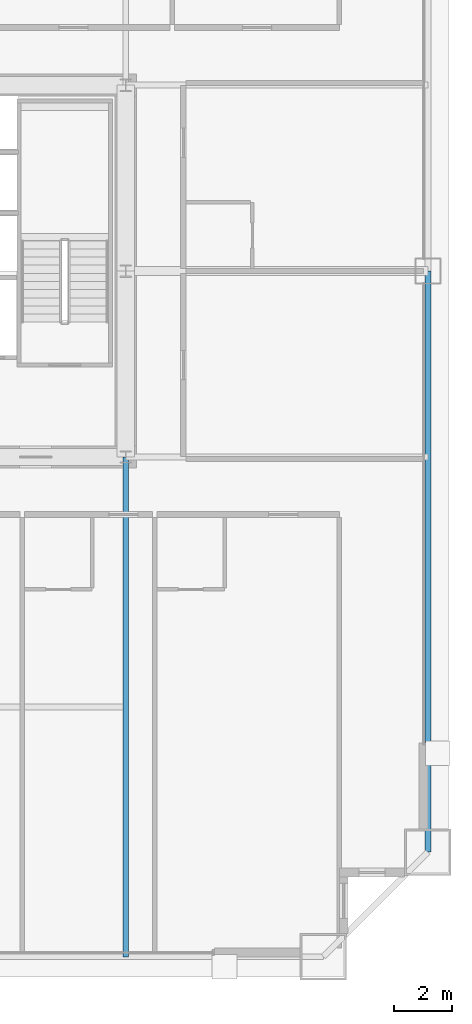
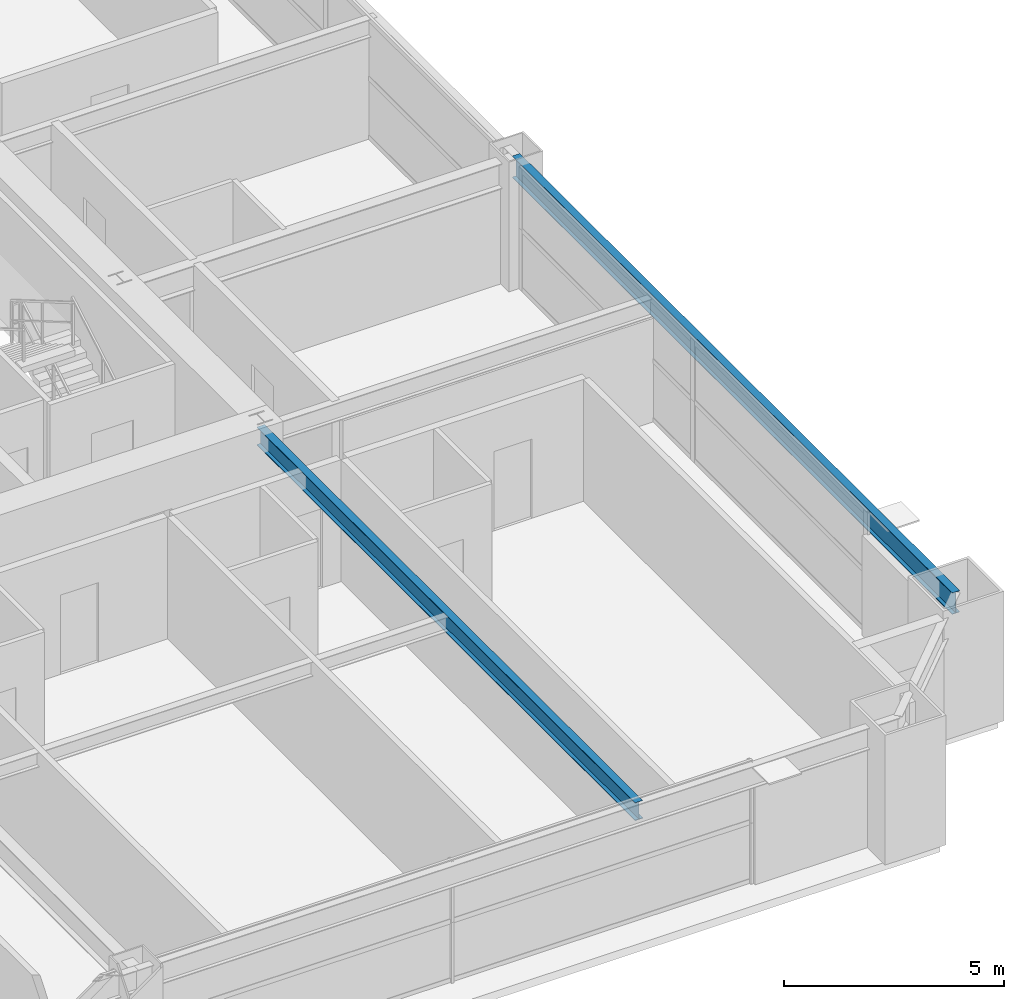
# One storey, part 16 of 38: 2 beams.
"""IFC4 building model written with IfcOpenShell, lengths in metres."""

import ifcopenshell
import ifcopenshell.guid

model = None  # the IFC model being written
_history = None  # IfcOwnerHistory: only IFC2X3 demands one
_inside = {}  # id of a spatial element -> (the spatial element, [elements in it])
_under = {}  # id of a project, library or spatial element -> (it, [spatial elements below it])
_declared = {}  # id of a project -> (the project, [libraries it declares])
_typed = {}  # id of a type object -> (the type object, [elements of that type])
_made_of = {}  # id of a material, layer set ... -> (it, [elements and type objects made of it])


def new_model(schema):
    """Start an empty IFC model of exactly this schema.

    Asked for "IFC4X3", IfcOpenShell would pick the latest addendum, in which some entities
    have other attributes; the version numbers below select the first issue.
    IFC2X3 requires an IfcOwnerHistory on every rooted entity: one is made here for all.
    """
    global model, _history
    if schema == "IFC4X3":
        model = ifcopenshell.file(schema_version=(4, 3, 0, 0))
    else:
        model = ifcopenshell.file(schema=schema)
    _inside.clear()
    _under.clear()
    _declared.clear()
    _typed.clear()
    _made_of.clear()
    _history = None
    if model.schema == "IFC2X3":
        org = make("IfcOrganization", Name="unknown")
        user = make(
            "IfcPersonAndOrganization",
            ThePerson=make("IfcPerson", FamilyName="unknown"),
            TheOrganization=org,
        )
        app = make(
            "IfcApplication",
            ApplicationDeveloper=org,
            Version="unknown",
            ApplicationFullName="unknown",
            ApplicationIdentifier="unknown",
        )
        _history = make(
            "IfcOwnerHistory",
            OwningUser=user,
            OwningApplication=app,
            ChangeAction="ADDED",
            CreationDate=0,
        )
    return model


def make(cls, **values):
    """One entity of the class cls with the attributes given. An attribute that is None is left unset."""
    return model.create_entity(
        cls, **{name: value for name, value in values.items() if value is not None}
    )


def rooted(cls, **values):
    """An entity with a GlobalId (a new one), such as an element, a storey or a relation."""
    return make(cls, GlobalId=ifcopenshell.guid.new(), OwnerHistory=_history, **values)


def si_unit(unit_type, name, prefix=None):
    """IfcSIUnit, for example si_unit("LENGTHUNIT", "METRE", prefix="MILLI")."""
    return make("IfcSIUnit", UnitType=unit_type, Prefix=prefix, Name=name)


def assignment(units):
    """IfcUnitAssignment: the units of a project."""
    return None if units is None else make("IfcUnitAssignment", Units=units)


def point(xyz):
    """IfcCartesianPoint."""
    return None if xyz is None else make("IfcCartesianPoint", Coordinates=xyz)


def direction(xyz):
    """IfcDirection."""
    return None if xyz is None else make("IfcDirection", DirectionRatios=xyz)


def frame(location, z_axis=None, x_axis=None):
    """IfcAxis2Placement3D, a coordinate frame: its origin and axes. An axis left out is left unset."""
    return make(
        "IfcAxis2Placement3D",
        Location=point(location),
        Axis=direction(z_axis),
        RefDirection=direction(x_axis),
    )


def frame_2d(location, x_axis=None):
    """IfcAxis2Placement2D, a coordinate frame in the plane: its origin and x axis."""
    return make(
        "IfcAxis2Placement2D", Location=point(location), RefDirection=direction(x_axis)
    )


def origin():
    """The frame at (0, 0, 0) with its axes left unset."""
    return frame((0.0, 0.0, 0.0))


def origin_2d():
    """The frame at (0, 0) in the plane with its x axis left unset."""
    return frame_2d((0.0, 0.0))


def place(relative_to, where):
    """IfcLocalPlacement: puts the frame where relative to a parent placement (None: the world)."""
    return make(
        "IfcLocalPlacement", PlacementRelTo=relative_to, RelativePlacement=where
    )


def context(
    kind, dimensions, precision=None, world=None, true_north=None, identifier=None
):
    """IfcGeometricRepresentationContext, for example the 3D "Model" context."""
    return make(
        "IfcGeometricRepresentationContext",
        ContextIdentifier=identifier,
        ContextType=kind,
        CoordinateSpaceDimension=dimensions,
        Precision=precision,
        WorldCoordinateSystem=world,
        TrueNorth=true_north,
    )


def subcontext(parent, identifier, kind, view, scale=None):
    """IfcGeometricRepresentationSubContext, for example "Body" below "Model"."""
    return make(
        "IfcGeometricRepresentationSubContext",
        ContextIdentifier=identifier,
        ContextType=kind,
        ParentContext=parent,
        TargetScale=scale,
        TargetView=view,
    )


def project(units=None, contexts=None):
    """IfcProject with its units and contexts."""
    return rooted(
        "IfcProject",
        Name="project",
        RepresentationContexts=contexts,
        UnitsInContext=assignment(units),
    )


def spatial(cls, under=None, at=None, **own):
    """A site, building, storey or space (cls), placed at a placement, below another one or the project."""
    s = rooted(cls, ObjectPlacement=at, **own)
    if under is not None:
        _under.setdefault(under.id(), (under, []))[1].append(s)
    return s


def profile(cls, at=None, kind="AREA", **sizes):
    """A parametric profile (cls). Its sizes go by their IFC names, for example OverallWidth=200.0."""
    return make(cls, ProfileType=kind, Position=at, **sizes)


def i_section(**sizes):
    """IfcIShapeProfileDef."""
    return profile("IfcIShapeProfileDef", **sizes)


def extrude(swept, where, along, depth):
    """IfcExtrudedAreaSolid: the profile swept, set in the frame where, extruded along a direction by depth."""
    return make(
        "IfcExtrudedAreaSolid",
        SweptArea=swept,
        Position=where,
        ExtrudedDirection=direction(along),
        Depth=depth,
    )


def shape(context_of_items, identifier, shape_type, items):
    """IfcShapeRepresentation: the items that make up one representation, for example the "Body"."""
    return make(
        "IfcShapeRepresentation",
        ContextOfItems=context_of_items,
        RepresentationIdentifier=identifier,
        RepresentationType=shape_type,
        Items=items,
    )


def source(mapping_origin, context_of_items, identifier, shape_type, items):
    """IfcRepresentationMap: a shape defined once, which mapped items show again and again."""
    return make(
        "IfcRepresentationMap",
        MappingOrigin=mapping_origin,
        MappedRepresentation=shape(context_of_items, identifier, shape_type, items),
    )


def transform(
    local_origin,
    x_axis=None,
    y_axis=None,
    z_axis=None,
    scale=None,
    scale2=None,
    scale3=None,
    uniform=True,
):
    """IfcCartesianTransformationOperator3D, or its non-uniform kind. x_axis, y_axis, z_axis: its Axis1, 2, 3."""
    if uniform:
        return make(
            "IfcCartesianTransformationOperator3D",
            Axis1=direction(x_axis),
            Axis2=direction(y_axis),
            LocalOrigin=point(local_origin),
            Scale=scale,
            Axis3=direction(z_axis),
        )
    return make(
        "IfcCartesianTransformationOperator3DnonUniform",
        Axis1=direction(x_axis),
        Axis2=direction(y_axis),
        LocalOrigin=point(local_origin),
        Scale=scale,
        Axis3=direction(z_axis),
        Scale2=scale2,
        Scale3=scale3,
    )


def mapped(mapping_source, mapping_target):
    """IfcMappedItem: shows the shape of a source again, moved by a transform."""
    return make(
        "IfcMappedItem", MappingSource=mapping_source, MappingTarget=mapping_target
    )


def material(Name=None, Category=None):
    """IfcMaterial."""
    return make("IfcMaterial", Name=Name, Category=Category)


def material_profile(
    of_material, cross_section, Name=None, Category=None, Priority=None
):
    """IfcMaterialProfile: a cross section and its material."""
    return make(
        "IfcMaterialProfile",
        Name=Name,
        Material=of_material,
        Profile=cross_section,
        Priority=Priority,
        Category=Category,
    )


def profile_set(profiles, Name=None, composite=None):
    """IfcMaterialProfileSet."""
    return make(
        "IfcMaterialProfileSet",
        Name=Name,
        MaterialProfiles=profiles,
        CompositeProfile=composite,
    )


def made_of(thing, what):
    """Note that an element or type object is made of a material, layer set ...; save() writes the relation."""
    if what is not None:
        _made_of.setdefault(what.id(), (what, []))[1].append(thing)
    return thing


def type_object(cls, material=None, **own):
    """A type object (cls), such as IfcWallType, which elements share."""
    return made_of(rooted(cls, **own), material)


def element(
    cls,
    number,
    at=None,
    inside=None,
    cuts=None,
    type_object=None,
    material=None,
    context=None,
    identifier="Body",
    shape_type=None,
    held_by="IfcProductDefinitionShape",
    body=None,
    shapes=None,
    **own,
):
    """One element of the class cls, such as IfcWall. Its Tag is "e" and its number.

    at: its placement. inside: the storey or other place that contains it. cuts: it is an
    opening in that element (IfcRelVoidsElement). A single representation is given by context,
    identifier, shape_type and body (its items); several are given by shapes. held_by: the class
    of the entity that holds the representations. save() writes the other relations.
    """
    e = rooted(cls, Tag="e%d" % number, ObjectPlacement=at, **own)
    if body is not None:
        shapes = [shape(context, identifier, shape_type, body)]
    if shapes is not None:
        e.Representation = make(held_by, Representations=shapes)
    if inside is not None:
        _inside.setdefault(inside.id(), (inside, []))[1].append(e)
    if cuts is not None:
        rooted(
            "IfcRelVoidsElement", RelatingBuildingElement=cuts, RelatedOpeningElement=e
        )
    if type_object is not None:
        _typed.setdefault(type_object.id(), (type_object, []))[1].append(e)
    return made_of(e, material)


def aggregate(whole, parts):
    """IfcRelAggregates: a whole, such as a stair, and the parts it consists of."""
    return rooted("IfcRelAggregates", RelatingObject=whole, RelatedObjects=parts)


def save(model, path):
    """Write the relations noted so far, then the file.

    IfcRelAggregates (storeys below a building ...), IfcRelContainedInSpatialStructure (elements
    in a storey), IfcRelDefinesByType, IfcRelAssociatesMaterial and IfcRelDeclares: one each for
    every whole, place, type object, material and project.
    """
    for whole, parts in _under.values():
        aggregate(whole, parts)
    for where, things in _inside.values():
        rooted(
            "IfcRelContainedInSpatialStructure",
            RelatedElements=things,
            RelatingStructure=where,
        )
    for kind, things in _typed.values():
        rooted("IfcRelDefinesByType", RelatedObjects=things, RelatingType=kind)
    for what, things in _made_of.values():
        rooted("IfcRelAssociatesMaterial", RelatedObjects=things, RelatingMaterial=what)
    for by, libraries in _declared.values():
        rooted("IfcRelDeclares", RelatingContext=by, RelatedDefinitions=libraries)
    model.write(path)


model = new_model("IFC4")

# Units and contexts
model_context = context("Model", 3, precision=1e-05, world=origin(), true_north=direction((0.0, 1.0)))
body_context = subcontext(model_context, "Body", "Model", "MODEL_VIEW")
ifc_project = project(units=[si_unit("LENGTHUNIT", "METRE"), si_unit("AREAUNIT", "SQUARE_METRE"), si_unit("VOLUMEUNIT", "CUBIC_METRE"), si_unit("PLANEANGLEUNIT", "RADIAN"), si_unit("MASSUNIT", "GRAM", prefix="KILO"), si_unit("THERMODYNAMICTEMPERATUREUNIT", "KELVIN"), si_unit("POWERUNIT", "WATT")], contexts=[model_context])

# Site, building, storey
site_placement = place(None, origin())
site = spatial("IfcSite", under=ifc_project, at=site_placement, CompositionType="ELEMENT")
building_placement = place(site_placement, origin())
building = spatial("IfcBuilding", under=site, at=building_placement, Name="Yuzanri Waterfront Tower", CompositionType="ELEMENT")
storey_placement = place(building_placement, frame((0.0, 0.0, 97.39990234375)))
storey = spatial("IfcBuildingStorey", under=building, at=storey_placement, Name="L25", CompositionType="ELEMENT", Elevation=97.39990234375)

# Beams
ifc_material_1 = material(Name="Steel Q355B", Category="steel")
ifc_material_profile_1 = material_profile(ifc_material_1, i_section(OverallWidth=0.199951171875, OverallDepth=0.60009765625, WebThickness=0.010986328125, FlangeThickness=0.01708984375, at=origin_2d()), Name="HN 600x200x11x17")
ifc_profile_set_1 = profile_set([ifc_material_profile_1], Name="Steel Q355B")
beam_type_1 = type_object("IfcBeamType", Name="Perimeter Spandrel Q355B HN 600x200", PredefinedType="SPANDREL", material=ifc_profile_set_1)
shared_shape_1 = source(origin(), body_context, "Body", "SweptSolid", [
    extrude(i_section(OverallWidth=0.199951171875, OverallDepth=0.60009765625, WebThickness=0.010986328125, FlangeThickness=0.01708984375, at=origin_2d()), origin(), (0.0, 0.0, 1.0), 20.0),
])
beam_1_placement = place(storey_placement, frame((60.60009765625, 5.800048828125, 3.080078125), z_axis=(0.0, 1.0, 0.0), x_axis=(-1.0, 0.0, 0.0)))
element("IfcBeam", 1, at=beam_1_placement, inside=storey, type_object=beam_type_1, Name="L25 Perimeter Spandrel E1-E2", PredefinedType="SPANDREL", context=body_context, shape_type="MappedRepresentation", body=[
    mapped(shared_shape_1, transform((0.0, 0.0, 0.0), scale=1.0)),
])
ifc_material_2 = material(Name="Steel Q355B", Category="steel")
ifc_material_profile_2 = material_profile(ifc_material_2, i_section(OverallWidth=0.199951171875, OverallDepth=0.5, WebThickness=0.010009765625, FlangeThickness=0.01611328125, at=origin_2d()), Name="HN 500x200x10x16")
ifc_profile_set_2 = profile_set([ifc_material_profile_2], Name="Steel Q355B")
beam_type_2 = type_object("IfcBeamType", Name="Secondary Floor Beam Q355B HN 500x200", PredefinedType="BEAM", material=ifc_profile_set_2)
shared_shape_2 = source(origin(), body_context, "Body", "SweptSolid", [
    extrude(i_section(OverallWidth=0.199951171875, OverallDepth=0.5, WebThickness=0.010009765625, FlangeThickness=0.01611328125, at=origin_2d()), origin(), (0.0, 0.0, 1.0), 17.199951171875),
])
beam_2_placement = place(storey_placement, frame((50.199951171875, 19.39990234375, 3.130126953125), z_axis=(0.0, -1.0, 0.0), x_axis=(1.0, 0.0, 0.0)))
element("IfcBeam", 2, at=beam_2_placement, inside=storey, type_object=beam_type_2, Name="L25 South-East Core Line Beam", PredefinedType="BEAM", context=body_context, shape_type="MappedRepresentation", body=[
    mapped(shared_shape_2, transform((0.0, 0.0, 0.0), scale=1.0)),
])

save(model, "model.ifc")
